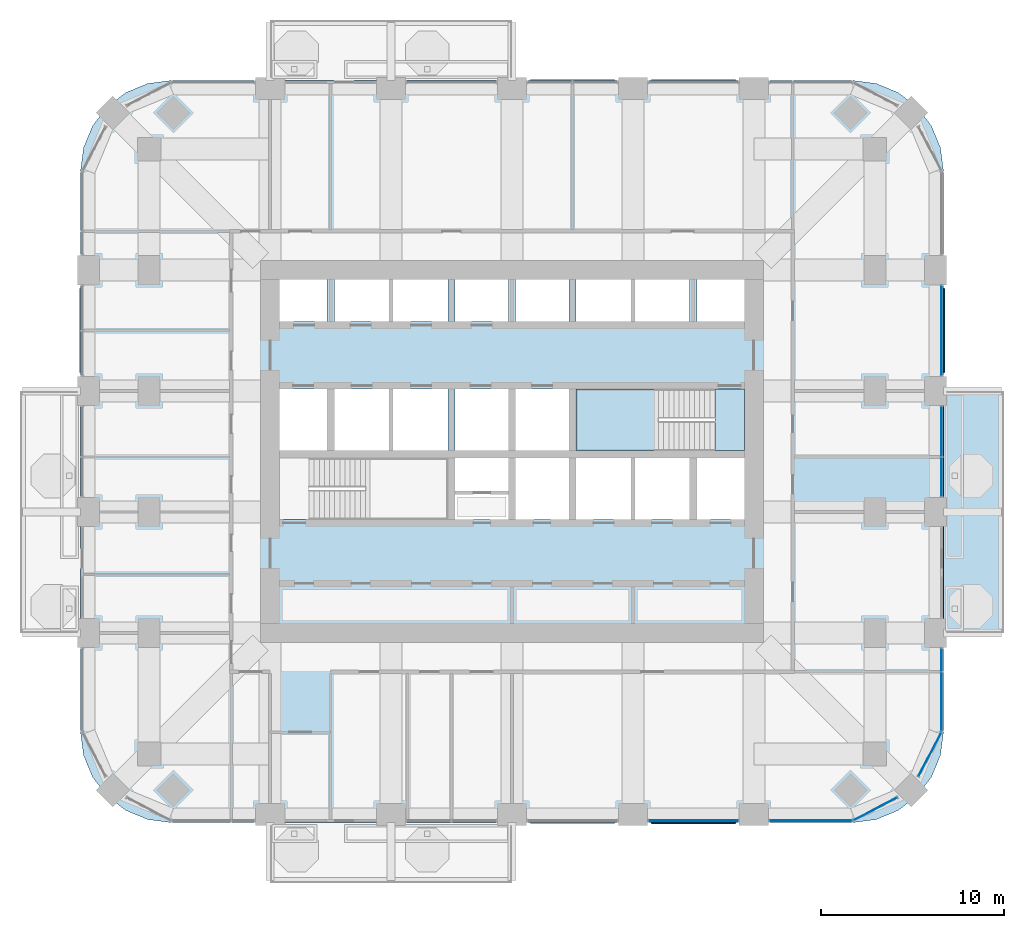
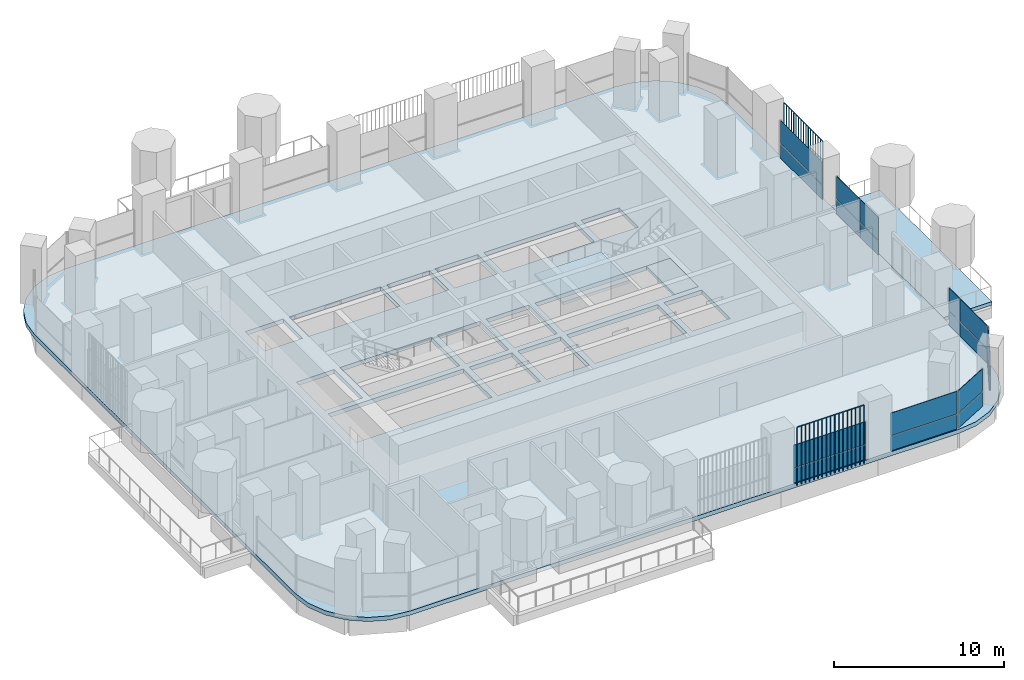
# One storey, part 9 of 19: 20 plates, 4 slabs, 8 elements without a shape of their own.
"""IFC4 building model written with IfcOpenShell, lengths in metres."""

from ifc_helpers import new_model, si_unit, direction, frame, origin, origin_2d, place, context, subcontext, project, spatial, polyline, rectangle, outline, extrude, material, layer, layer_set, type_object, element, aggregate, save


model = new_model("IFC4")

# Units and contexts
model_context = context("Model", 3, precision=1e-05, world=origin(), true_north=direction((0.0, 1.0)))
body_context = subcontext(model_context, "Body", "Model", "MODEL_VIEW")
ifc_project = project(units=[si_unit("LENGTHUNIT", "METRE"), si_unit("AREAUNIT", "SQUARE_METRE"), si_unit("VOLUMEUNIT", "CUBIC_METRE"), si_unit("PLANEANGLEUNIT", "RADIAN"), si_unit("MASSUNIT", "GRAM", prefix="KILO")], contexts=[model_context])

# Site, building, storey
site_placement = place(None, origin())
site = spatial("IfcSite", under=ifc_project, at=site_placement, CompositionType="ELEMENT")
building_placement = place(site_placement, origin())
building = spatial("IfcBuilding", under=site, at=building_placement, Name="Cobogo Forest Laboratory Tower", CompositionType="ELEMENT")
storey_placement = place(building_placement, frame((0.0, 0.0, 159.89990234375)))
storey = spatial("IfcBuildingStorey", under=building, at=storey_placement, Name="L36", CompositionType="ELEMENT", Elevation=159.89990234375)

# Slabs
ifc_material_1 = material(Name="Concrete HA-40 (C40/50)", Category="concrete")
ifc_layer_1 = layer(ifc_material_1, 0.25)
ifc_layer_set_1 = layer_set([ifc_layer_1], Name="Balcony slab 250")
slab_type_1 = type_object("IfcSlabType", Name="Balcony slab 250", PredefinedType="FLOOR", material=ifc_layer_set_1)
slab_1_placement = place(storey_placement, frame((0.0, 0.0, -0.25)))
element("IfcSlab", 1, at=slab_1_placement, inside=storey, type_object=slab_type_1, Name="Balcony BAL-E1 L36", PredefinedType="FLOOR", context=body_context, shape_type="SweptSolid", body=[
    extrude(outline(polyline([(49.949951171875, 13.199951171875), (53.25, 13.199951171875), (53.25, 26.39990234375), (49.949951171875, 26.39990234375), (49.949951171875, 13.199951171875)])), origin(), (0.0, 0.0, 1.0), 0.25),
])
ifc_layer_2 = layer(ifc_material_1, 0.300048828125)
ifc_layer_set_2 = layer_set([ifc_layer_2], Name="Floor slab 300")
slab_type_2 = type_object("IfcSlabType", Name="Floor slab 300", PredefinedType="FLOOR", material=ifc_layer_set_2)
slab_2_placement = place(storey_placement, frame((0.0, 0.0, -0.2998046875)))
element("IfcSlab", 2, at=slab_2_placement, inside=storey, type_object=slab_type_2, Name="L36 floor slab", PredefinedType="FLOOR", context=body_context, shape_type="SweptSolid", body=[
    extrude(outline(polyline([(45.0, 2.85009765625), (46.28125, 3.0185546875), (47.47509765625, 3.51318359375), (48.500244140625, 4.2998046875), (49.286865234375, 5.324951171875), (49.78125, 6.518798828125), (49.949951171875, 7.800048828125), (49.949951171875, 38.39990234375), (49.78125, 39.68115234375), (49.286865234375, 40.875), (48.500244140625, 41.900146484375), (47.47509765625, 42.686767578125), (46.28125, 43.181396484375), (45.0, 43.35009765625), (7.800048828125, 43.35009765625), (6.518798828125, 43.181396484375), (5.324951171875, 42.686767578125), (4.2998046875, 41.900146484375), (3.51318359375, 40.875), (3.0185546875, 39.68115234375), (2.85009765625, 38.39990234375), (2.85009765625, 7.800048828125), (3.0185546875, 6.518798828125), (3.51318359375, 5.324951171875), (4.2998046875, 4.2998046875), (5.324951171875, 3.51318359375), (6.518798828125, 3.0185546875), (7.800048828125, 2.85009765625), (45.0, 2.85009765625)]), holes=[polyline([(22.89990234375, 19.39990234375), (13.72509765625, 19.39990234375), (13.72509765625, 22.75), (22.89990234375, 22.75), (22.89990234375, 19.39990234375)]), polyline([(26.199951171875, 19.39990234375), (23.300048828125, 19.39990234375), (23.300048828125, 22.75), (26.199951171875, 22.75), (26.199951171875, 19.39990234375)]), polyline([(29.5, 19.39990234375), (26.60009765625, 19.39990234375), (26.60009765625, 22.75), (29.5, 22.75), (29.5, 19.39990234375)]), polyline([(36.10009765625, 22.75), (36.10009765625, 19.39990234375), (29.89990234375, 19.39990234375), (29.89990234375, 22.75), (36.10009765625, 22.75)]), polyline([(36.5, 19.39990234375), (36.5, 22.75), (39.074951171875, 22.75), (39.074951171875, 19.39990234375), (36.5, 19.39990234375)]), polyline([(16.300048828125, 23.14990234375), (13.72509765625, 23.14990234375), (13.72509765625, 26.5), (16.300048828125, 26.5), (16.300048828125, 23.14990234375)]), polyline([(22.89990234375, 26.5), (22.89990234375, 23.14990234375), (16.699951171875, 23.14990234375), (16.699951171875, 26.5), (22.89990234375, 26.5)]), polyline([(26.199951171875, 23.14990234375), (23.300048828125, 23.14990234375), (23.300048828125, 26.5), (26.199951171875, 26.5), (26.199951171875, 23.14990234375)]), polyline([(26.60009765625, 23.14990234375), (26.60009765625, 26.5), (29.5, 26.5), (29.5, 23.14990234375), (26.60009765625, 23.14990234375)]), polyline([(39.074951171875, 23.14990234375), (29.89990234375, 23.14990234375), (29.89990234375, 26.5), (39.074951171875, 26.5), (39.074951171875, 23.14990234375)]), polyline([(16.300048828125, 30.199951171875), (13.72509765625, 30.199951171875), (13.72509765625, 32.47509765625), (16.300048828125, 32.47509765625), (16.300048828125, 30.199951171875)]), polyline([(22.89990234375, 32.47509765625), (22.89990234375, 30.199951171875), (16.699951171875, 30.199951171875), (16.699951171875, 32.47509765625), (22.89990234375, 32.47509765625)]), polyline([(23.300048828125, 30.199951171875), (23.300048828125, 32.47509765625), (26.199951171875, 32.47509765625), (26.199951171875, 30.199951171875), (23.300048828125, 30.199951171875)]), polyline([(29.5, 30.199951171875), (26.60009765625, 30.199951171875), (26.60009765625, 32.47509765625), (29.5, 32.47509765625), (29.5, 30.199951171875)]), polyline([(36.10009765625, 32.47509765625), (36.10009765625, 30.199951171875), (29.89990234375, 30.199951171875), (29.89990234375, 32.47509765625), (36.10009765625, 32.47509765625)]), polyline([(36.5, 30.199951171875), (36.5, 32.47509765625), (39.074951171875, 32.47509765625), (39.074951171875, 30.199951171875), (36.5, 30.199951171875)])]), origin(), (0.0, 0.0, 1.0), 0.2998046875),
])

# Curtain wall, plates
ifc_material_2 = material(Name="Aluminium curtain wall", Category="aluminium")
curtain_wall_type = type_object("IfcCurtainWallType", Name="CW-2 unitised curtain wall, solar control glazing, laboratory floors zones C and D", PredefinedType="USERDEFINED", material=ifc_material_2)
curtain_wall_1_placement = place(storey_placement, origin())
curtain_wall_1 = element("IfcCurtainWall", 3, at=curtain_wall_1_placement, inside=storey, type_object=curtain_wall_type, Name="Curtain wall 05 L36", ObjectType="UNITISED CURTAIN WALL", PredefinedType="USERDEFINED")
ifc_material_3 = material(Name="Solar control insulated glass", Category="glass")
ifc_layer_3 = layer(ifc_material_3, 0.031982421875)
ifc_layer_set_3 = layer_set([ifc_layer_3], Name="GP-2 solar control glass unit 32")
plate_type_1 = type_object("IfcPlateType", Name="GP-2 solar control glass unit 32", PredefinedType="CURTAIN_PANEL", material=ifc_layer_set_3)
plate_1_placement = place(storey_placement, frame((36.300048828125, 2.949951171875, 0.0), z_axis=(0.0, 0.0, 1.0), x_axis=(1.0, 0.0, 0.0)))
plate_1 = element("IfcPlate", 4, at=plate_1_placement, type_object=plate_type_1, Name="CW-2 panel 1.1", PredefinedType="CURTAIN_PANEL", context=body_context, shape_type="SweptSolid", body=[
    extrude(rectangle(XDim=4.8798828125, YDim=0.031982421875, at=origin_2d()), origin(), (0.0, 0.0, 1.0), 1.02001953125),
])
plate_2_placement = place(storey_placement, frame((36.300048828125, 2.949951171875, 1.080078125), z_axis=(0.0, 0.0, 1.0), x_axis=(1.0, 0.0, 0.0)))
plate_2 = element("IfcPlate", 5, at=plate_2_placement, type_object=plate_type_1, Name="CW-2 panel 1.2", PredefinedType="CURTAIN_PANEL", context=body_context, shape_type="SweptSolid", body=[
    extrude(rectangle(XDim=4.8798828125, YDim=0.031982421875, at=origin_2d()), origin(), (0.0, 0.0, 1.0), 1.6201171875),
])
aggregate(curtain_wall_1, [plate_1, plate_2])

curtain_wall_2_placement = place(storey_placement, origin())
curtain_wall_2 = element("IfcCurtainWall", 6, at=curtain_wall_2_placement, inside=storey, type_object=curtain_wall_type, Name="Curtain wall 06 L36", ObjectType="UNITISED CURTAIN WALL", PredefinedType="USERDEFINED")
plate_3_placement = place(storey_placement, frame((42.699951171875, 2.949951171875, 0.0), z_axis=(0.0, 0.0, 1.0), x_axis=(1.0, 0.0, 0.0)))
plate_3 = element("IfcPlate", 7, at=plate_3_placement, type_object=plate_type_1, Name="CW-2 panel 1.1", PredefinedType="CURTAIN_PANEL", context=body_context, shape_type="SweptSolid", body=[
    extrude(rectangle(XDim=4.47998046875, YDim=0.031982421875, at=origin_2d()), origin(), (0.0, 0.0, 1.0), 1.02001953125),
])
plate_4_placement = place(storey_placement, frame((42.699951171875, 2.949951171875, 1.080078125), z_axis=(0.0, 0.0, 1.0), x_axis=(1.0, 0.0, 0.0)))
plate_4 = element("IfcPlate", 8, at=plate_4_placement, type_object=plate_type_1, Name="CW-2 panel 1.2", PredefinedType="CURTAIN_PANEL", context=body_context, shape_type="SweptSolid", body=[
    extrude(rectangle(XDim=4.47998046875, YDim=0.031982421875, at=origin_2d()), origin(), (0.0, 0.0, 1.0), 1.6201171875),
])
aggregate(curtain_wall_2, [plate_3, plate_4])

curtain_wall_3_placement = place(storey_placement, origin())
curtain_wall_3 = element("IfcCurtainWall", 9, at=curtain_wall_3_placement, inside=storey, type_object=curtain_wall_type, Name="Curtain wall 07 L36", ObjectType="UNITISED CURTAIN WALL", PredefinedType="USERDEFINED")
plate_5_placement = place(storey_placement, frame((46.229248046875, 3.59423828125, 0.0), z_axis=(0.0, 0.0, 1.0), x_axis=(0.885686547075, 0.464283685186, 0.0)))
plate_5 = element("IfcPlate", 10, at=plate_5_placement, type_object=plate_type_1, Name="CW-2 panel 1.1", PredefinedType="CURTAIN_PANEL", context=body_context, shape_type="SweptSolid", body=[
    extrude(rectangle(XDim=2.655517578125, YDim=0.031982421875, at=origin_2d()), origin(), (0.0, 0.0, 1.0), 1.02001953125),
])
plate_6_placement = place(storey_placement, frame((46.229248046875, 3.59423828125, 1.080078125), z_axis=(0.0, 0.0, 1.0), x_axis=(0.885686547075, 0.464283685186, 0.0)))
plate_6 = element("IfcPlate", 11, at=plate_6_placement, type_object=plate_type_1, Name="CW-2 panel 1.2", PredefinedType="CURTAIN_PANEL", context=body_context, shape_type="SweptSolid", body=[
    extrude(rectangle(XDim=2.655517578125, YDim=0.031982421875, at=origin_2d()), origin(), (0.0, 0.0, 1.0), 1.6201171875),
])
aggregate(curtain_wall_3, [plate_5, plate_6])

curtain_wall_4_placement = place(storey_placement, origin())
curtain_wall_4 = element("IfcCurtainWall", 12, at=curtain_wall_4_placement, inside=storey, type_object=curtain_wall_type, Name="Curtain wall 08 L36", ObjectType="UNITISED CURTAIN WALL", PredefinedType="USERDEFINED")
plate_7_placement = place(storey_placement, frame((49.20556640625, 6.57080078125, 0.0), z_axis=(0.0, 0.0, 1.0), x_axis=(0.464283685186, 0.885686547075, 0.0)))
plate_7 = element("IfcPlate", 13, at=plate_7_placement, type_object=plate_type_1, Name="CW-2 panel 1.1", PredefinedType="CURTAIN_PANEL", context=body_context, shape_type="SweptSolid", body=[
    extrude(rectangle(XDim=2.655517578125, YDim=0.031982421875, at=origin_2d()), origin(), (0.0, 0.0, 1.0), 1.02001953125),
])
plate_8_placement = place(storey_placement, frame((49.20556640625, 6.57080078125, 1.080078125), z_axis=(0.0, 0.0, 1.0), x_axis=(0.464283685186, 0.885686547075, 0.0)))
plate_8 = element("IfcPlate", 14, at=plate_8_placement, type_object=plate_type_1, Name="CW-2 panel 1.2", PredefinedType="CURTAIN_PANEL", context=body_context, shape_type="SweptSolid", body=[
    extrude(rectangle(XDim=2.655517578125, YDim=0.031982421875, at=origin_2d()), origin(), (0.0, 0.0, 1.0), 1.6201171875),
])
aggregate(curtain_wall_4, [plate_7, plate_8])

curtain_wall_5_placement = place(storey_placement, origin())
curtain_wall_5 = element("IfcCurtainWall", 15, at=curtain_wall_5_placement, inside=storey, type_object=curtain_wall_type, Name="Curtain wall 09 L36", ObjectType="UNITISED CURTAIN WALL", PredefinedType="USERDEFINED")
plate_9_placement = place(storey_placement, frame((49.85009765625, 9.452392578125, 0.0), z_axis=(0.0, 0.0, 1.0), x_axis=(0.0, 1.0, 0.0)))
plate_9 = element("IfcPlate", 16, at=plate_9_placement, type_object=plate_type_1, Name="CW-2 panel 1.1", PredefinedType="CURTAIN_PANEL", context=body_context, shape_type="SweptSolid", body=[
    extrude(rectangle(XDim=3.18505859375, YDim=0.031982421875, at=origin_2d()), origin(), (0.0, 0.0, 1.0), 1.02001953125),
])
plate_10_placement = place(storey_placement, frame((49.85009765625, 9.452392578125, 1.080078125), z_axis=(0.0, 0.0, 1.0), x_axis=(0.0, 1.0, 0.0)))
plate_10 = element("IfcPlate", 17, at=plate_10_placement, type_object=plate_type_1, Name="CW-2 panel 1.2", PredefinedType="CURTAIN_PANEL", context=body_context, shape_type="SweptSolid", body=[
    extrude(rectangle(XDim=3.18505859375, YDim=0.031982421875, at=origin_2d()), origin(), (0.0, 0.0, 1.0), 1.6201171875),
])
plate_11_placement = place(storey_placement, frame((49.85009765625, 11.722412109375, 0.0), z_axis=(0.0, 0.0, 1.0), x_axis=(0.0, 1.0, 0.0)))
plate_11 = element("IfcPlate", 18, at=plate_11_placement, type_object=plate_type_1, Name="CW-2 panel 2.1", PredefinedType="CURTAIN_PANEL", context=body_context, shape_type="SweptSolid", body=[
    extrude(rectangle(XDim=1.235107421875, YDim=0.031982421875, at=origin_2d()), origin(), (0.0, 0.0, 1.0), 1.02001953125),
])
plate_12_placement = place(storey_placement, frame((49.85009765625, 11.722412109375, 1.080078125), z_axis=(0.0, 0.0, 1.0), x_axis=(0.0, 1.0, 0.0)))
plate_12 = element("IfcPlate", 19, at=plate_12_placement, type_object=plate_type_1, Name="CW-2 panel 2.2", PredefinedType="CURTAIN_PANEL", context=body_context, shape_type="SweptSolid", body=[
    extrude(rectangle(XDim=1.235107421875, YDim=0.031982421875, at=origin_2d()), origin(), (0.0, 0.0, 1.0), 1.6201171875),
])
aggregate(curtain_wall_5, [plate_9, plate_10, plate_11, plate_12])

curtain_wall_6_placement = place(storey_placement, origin())
curtain_wall_6 = element("IfcCurtainWall", 20, at=curtain_wall_6_placement, inside=storey, type_object=curtain_wall_type, Name="Curtain wall 11 L36", ObjectType="UNITISED CURTAIN WALL", PredefinedType="USERDEFINED")
plate_13_placement = place(storey_placement, frame((49.85009765625, 21.715087890625, 0.0), z_axis=(0.0, 0.0, 1.0), x_axis=(0.0, 1.0, 0.0)))
plate_13 = element("IfcPlate", 21, at=plate_13_placement, type_object=plate_type_1, Name="CW-2 panel 1.1", PredefinedType="CURTAIN_PANEL", context=body_context, shape_type="SweptSolid", body=[
    extrude(rectangle(XDim=2.110107421875, YDim=0.031982421875, at=origin_2d()), origin(), (0.0, 0.0, 1.0), 1.02001953125),
])
plate_14_placement = place(storey_placement, frame((49.85009765625, 21.715087890625, 1.080078125), z_axis=(0.0, 0.0, 1.0), x_axis=(0.0, 1.0, 0.0)))
plate_14 = element("IfcPlate", 22, at=plate_14_placement, type_object=plate_type_1, Name="CW-2 panel 1.2", PredefinedType="CURTAIN_PANEL", context=body_context, shape_type="SweptSolid", body=[
    extrude(rectangle(XDim=2.110107421875, YDim=0.031982421875, at=origin_2d()), origin(), (0.0, 0.0, 1.0), 1.6201171875),
])
plate_15_placement = place(storey_placement, frame((49.85009765625, 24.18505859375, 0.0), z_axis=(0.0, 0.0, 1.0), x_axis=(0.0, 1.0, 0.0)))
plate_15 = element("IfcPlate", 23, at=plate_15_placement, type_object=plate_type_1, Name="CW-2 panel 2.1", PredefinedType="CURTAIN_PANEL", context=body_context, shape_type="SweptSolid", body=[
    extrude(rectangle(XDim=2.7099609375, YDim=0.031982421875, at=origin_2d()), origin(), (0.0, 0.0, 1.0), 1.02001953125),
])
plate_16_placement = place(storey_placement, frame((49.85009765625, 24.18505859375, 1.080078125), z_axis=(0.0, 0.0, 1.0), x_axis=(0.0, 1.0, 0.0)))
plate_16 = element("IfcPlate", 24, at=plate_16_placement, type_object=plate_type_1, Name="CW-2 panel 2.2", PredefinedType="CURTAIN_PANEL", context=body_context, shape_type="SweptSolid", body=[
    extrude(rectangle(XDim=2.7099609375, YDim=0.031982421875, at=origin_2d()), origin(), (0.0, 0.0, 1.0), 1.6201171875),
])
aggregate(curtain_wall_6, [plate_13, plate_14, plate_15, plate_16])

curtain_wall_7_placement = place(storey_placement, origin())
curtain_wall_7 = element("IfcCurtainWall", 25, at=curtain_wall_7_placement, inside=storey, type_object=curtain_wall_type, Name="Curtain wall 12 L36", ObjectType="UNITISED CURTAIN WALL", PredefinedType="USERDEFINED")
plate_17_placement = place(storey_placement, frame((49.85009765625, 29.699951171875, 0.0), z_axis=(0.0, 0.0, 1.0), x_axis=(0.0, 1.0, 0.0)))
plate_17 = element("IfcPlate", 26, at=plate_17_placement, type_object=plate_type_1, Name="CW-2 panel 1.1", PredefinedType="CURTAIN_PANEL", context=body_context, shape_type="SweptSolid", body=[
    extrude(rectangle(XDim=4.8798828125, YDim=0.031982421875, at=origin_2d()), origin(), (0.0, 0.0, 1.0), 1.02001953125),
])
plate_18_placement = place(storey_placement, frame((49.85009765625, 29.699951171875, 1.080078125), z_axis=(0.0, 0.0, 1.0), x_axis=(0.0, 1.0, 0.0)))
plate_18 = element("IfcPlate", 27, at=plate_18_placement, type_object=plate_type_1, Name="CW-2 panel 1.2", PredefinedType="CURTAIN_PANEL", context=body_context, shape_type="SweptSolid", body=[
    extrude(rectangle(XDim=4.8798828125, YDim=0.031982421875, at=origin_2d()), origin(), (0.0, 0.0, 1.0), 1.6201171875),
])
aggregate(curtain_wall_7, [plate_17, plate_18])

# Stair, slabs
ifc_material_4 = material(Name="Precast concrete HA-40 (C40/50)", Category="concrete")
stair_type = type_object("IfcStairType", Name="ST24 exit stair 24 risers", PredefinedType="HALF_TURN_STAIR", material=ifc_material_4)
stair_placement = place(storey_placement, origin())
stair = element("IfcStair", 28, at=stair_placement, inside=storey, type_object=stair_type, Name="Stair 2 L36 to L37", PredefinedType="HALF_TURN_STAIR")
ifc_layer_4 = layer(ifc_material_1, 0.199951171875)
ifc_layer_set_4 = layer_set([ifc_layer_4], Name="SL stair landing 200")
slab_type_3 = type_object("IfcSlabType", Name="SL stair landing 200", PredefinedType="LANDING", material=ifc_layer_set_4)
slab_3_placement = place(storey_placement, frame((0.0, 0.0, -0.199951171875)))
slab_3 = element("IfcSlab", 29, at=slab_3_placement, type_object=slab_type_3, Name="ST2 landing 1", PredefinedType="LANDING", context=body_context, shape_type="SweptSolid", body=[
    extrude(outline(polyline([(37.472900390625, 23.14990234375), (39.074951171875, 23.14990234375), (39.074951171875, 26.5), (37.472900390625, 26.5), (37.472900390625, 23.14990234375)])), origin(), (0.0, 0.0, 1.0), 0.199951171875),
])
slab_4_placement = place(storey_placement, frame((0.0, 0.0, 1.900146484375)))
slab_4 = element("IfcSlab", 30, at=slab_4_placement, type_object=slab_type_3, Name="ST2 landing 2", PredefinedType="LANDING", context=body_context, shape_type="SweptSolid", body=[
    extrude(outline(polyline([(29.89990234375, 23.14990234375), (34.39697265625, 23.14990234375), (34.39697265625, 26.5), (29.89990234375, 26.5), (29.89990234375, 23.14990234375)])), origin(), (0.0, 0.0, 1.0), 0.199951171875),
])
aggregate(stair, [slab_3, slab_4])

# Plates
ifc_material_5 = material(Name="Terracotta", Category="masonry")
plate_type_2 = type_object("IfcPlateType", Name="TB1 terracotta baguette screen", PredefinedType="USERDEFINED", material=ifc_material_5)
plate_19_placement = place(storey_placement, frame((34.03125, 2.822021484375, -0.14990234375)))
element("IfcPlate", 31, at=plate_19_placement, inside=storey, type_object=plate_type_2, Name="Baguette screen S4 L36", ObjectType="BAGUETTE SCREEN", PredefinedType="USERDEFINED", context=body_context, shape_type="SweptSolid", body=[
    extrude(outline(polyline([(0.02880859375, 0.011962890625), (0.011962890625, 0.02880859375), (-0.011962890625, 0.02880859375), (-0.02880859375, 0.011962890625), (-0.02880859375, -0.011962890625), (-0.011962890625, -0.02880859375), (0.011962890625, -0.02880859375), (0.02880859375, -0.011962890625), (0.02880859375, 0.011962890625)])), frame((0.0, 0.0, 4.168701171875), z_axis=(1.0, 0.0, 0.0), x_axis=(0.0, 1.0, 0.0)), (0.0, 0.0, 1.0), 4.53759765625),
    extrude(outline(polyline([(0.02880859375, 0.011962890625), (0.011962890625, 0.02880859375), (-0.011962890625, 0.02880859375), (-0.02880859375, 0.011962890625), (-0.02880859375, -0.011962890625), (-0.011962890625, -0.02880859375), (0.011962890625, -0.02880859375), (0.02880859375, -0.011962890625), (0.02880859375, 0.011962890625)])), origin(), (0.0, 0.0, 1.0), 4.137451171875),
    extrude(outline(polyline([(0.02880859375, 0.011962890625), (0.011962890625, 0.02880859375), (-0.011962890625, 0.02880859375), (-0.02880859375, 0.011962890625), (-0.02880859375, -0.011962890625), (-0.011962890625, -0.02880859375), (0.011962890625, -0.02880859375), (0.02880859375, -0.011962890625), (0.02880859375, 0.011962890625)])), frame((0.28369140625, 0.0, 0.0)), (0.0, 0.0, 1.0), 4.137451171875),
    extrude(outline(polyline([(0.02880859375, 0.011962890625), (0.011962890625, 0.02880859375), (-0.011962890625, 0.02880859375), (-0.02880859375, 0.011962890625), (-0.02880859375, -0.011962890625), (-0.011962890625, -0.02880859375), (0.011962890625, -0.02880859375), (0.02880859375, -0.011962890625), (0.02880859375, 0.011962890625)])), frame((0.567138671875, 0.0, 0.0)), (0.0, 0.0, 1.0), 4.137451171875),
    extrude(outline(polyline([(0.02880859375, 0.011962890625), (0.011962890625, 0.02880859375), (-0.011962890625, 0.02880859375), (-0.02880859375, 0.011962890625), (-0.02880859375, -0.011962890625), (-0.011962890625, -0.02880859375), (0.011962890625, -0.02880859375), (0.02880859375, -0.011962890625), (0.02880859375, 0.011962890625)])), frame((0.850830078125, 0.0, 0.0)), (0.0, 0.0, 1.0), 4.137451171875),
    extrude(outline(polyline([(0.02880859375, 0.011962890625), (0.011962890625, 0.02880859375), (-0.011962890625, 0.02880859375), (-0.02880859375, 0.011962890625), (-0.02880859375, -0.011962890625), (-0.011962890625, -0.02880859375), (0.011962890625, -0.02880859375), (0.02880859375, -0.011962890625), (0.02880859375, 0.011962890625)])), frame((1.13427734375, 0.0, 0.0)), (0.0, 0.0, 1.0), 4.137451171875),
    extrude(outline(polyline([(0.02880859375, 0.011962890625), (0.011962890625, 0.02880859375), (-0.011962890625, 0.02880859375), (-0.02880859375, 0.011962890625), (-0.02880859375, -0.011962890625), (-0.011962890625, -0.02880859375), (0.011962890625, -0.02880859375), (0.02880859375, -0.011962890625), (0.02880859375, 0.011962890625)])), frame((1.41796875, 0.0, 0.0)), (0.0, 0.0, 1.0), 4.137451171875),
    extrude(outline(polyline([(0.02880859375, 0.011962890625), (0.011962890625, 0.02880859375), (-0.011962890625, 0.02880859375), (-0.02880859375, 0.011962890625), (-0.02880859375, -0.011962890625), (-0.011962890625, -0.02880859375), (0.011962890625, -0.02880859375), (0.02880859375, -0.011962890625), (0.02880859375, 0.011962890625)])), frame((1.70166015625, 0.0, 0.0)), (0.0, 0.0, 1.0), 4.137451171875),
    extrude(outline(polyline([(0.02880859375, 0.011962890625), (0.011962890625, 0.02880859375), (-0.011962890625, 0.02880859375), (-0.02880859375, 0.011962890625), (-0.02880859375, -0.011962890625), (-0.011962890625, -0.02880859375), (0.011962890625, -0.02880859375), (0.02880859375, -0.011962890625), (0.02880859375, 0.011962890625)])), frame((1.985107421875, 0.0, 0.0)), (0.0, 0.0, 1.0), 4.137451171875),
    extrude(outline(polyline([(0.02880859375, 0.011962890625), (0.011962890625, 0.02880859375), (-0.011962890625, 0.02880859375), (-0.02880859375, 0.011962890625), (-0.02880859375, -0.011962890625), (-0.011962890625, -0.02880859375), (0.011962890625, -0.02880859375), (0.02880859375, -0.011962890625), (0.02880859375, 0.011962890625)])), frame((2.268798828125, 0.0, 0.0)), (0.0, 0.0, 1.0), 4.137451171875),
    extrude(outline(polyline([(0.02880859375, 0.011962890625), (0.011962890625, 0.02880859375), (-0.011962890625, 0.02880859375), (-0.02880859375, 0.011962890625), (-0.02880859375, -0.011962890625), (-0.011962890625, -0.02880859375), (0.011962890625, -0.02880859375), (0.02880859375, -0.011962890625), (0.02880859375, 0.011962890625)])), frame((2.552490234375, 0.0, 0.0)), (0.0, 0.0, 1.0), 4.137451171875),
    extrude(outline(polyline([(0.02880859375, 0.011962890625), (0.011962890625, 0.02880859375), (-0.011962890625, 0.02880859375), (-0.02880859375, 0.011962890625), (-0.02880859375, -0.011962890625), (-0.011962890625, -0.02880859375), (0.011962890625, -0.02880859375), (0.02880859375, -0.011962890625), (0.02880859375, 0.011962890625)])), frame((2.8359375, 0.0, 0.0)), (0.0, 0.0, 1.0), 4.137451171875),
    extrude(outline(polyline([(0.02880859375, 0.011962890625), (0.011962890625, 0.02880859375), (-0.011962890625, 0.02880859375), (-0.02880859375, 0.011962890625), (-0.02880859375, -0.011962890625), (-0.011962890625, -0.02880859375), (0.011962890625, -0.02880859375), (0.02880859375, -0.011962890625), (0.02880859375, 0.011962890625)])), frame((3.11962890625, 0.0, 0.0)), (0.0, 0.0, 1.0), 4.137451171875),
    extrude(outline(polyline([(0.02880859375, 0.011962890625), (0.011962890625, 0.02880859375), (-0.011962890625, 0.02880859375), (-0.02880859375, 0.011962890625), (-0.02880859375, -0.011962890625), (-0.011962890625, -0.02880859375), (0.011962890625, -0.02880859375), (0.02880859375, -0.011962890625), (0.02880859375, 0.011962890625)])), frame((3.4033203125, 0.0, 0.0)), (0.0, 0.0, 1.0), 4.137451171875),
    extrude(outline(polyline([(0.02880859375, 0.011962890625), (0.011962890625, 0.02880859375), (-0.011962890625, 0.02880859375), (-0.02880859375, 0.011962890625), (-0.02880859375, -0.011962890625), (-0.011962890625, -0.02880859375), (0.011962890625, -0.02880859375), (0.02880859375, -0.011962890625), (0.02880859375, 0.011962890625)])), frame((3.686767578125, 0.0, 0.0)), (0.0, 0.0, 1.0), 4.137451171875),
    extrude(outline(polyline([(0.02880859375, 0.011962890625), (0.011962890625, 0.02880859375), (-0.011962890625, 0.02880859375), (-0.02880859375, 0.011962890625), (-0.02880859375, -0.011962890625), (-0.011962890625, -0.02880859375), (0.011962890625, -0.02880859375), (0.02880859375, -0.011962890625), (0.02880859375, 0.011962890625)])), frame((3.970458984375, 0.0, 0.0)), (0.0, 0.0, 1.0), 4.137451171875),
    extrude(outline(polyline([(0.02880859375, 0.011962890625), (0.011962890625, 0.02880859375), (-0.011962890625, 0.02880859375), (-0.02880859375, 0.011962890625), (-0.02880859375, -0.011962890625), (-0.011962890625, -0.02880859375), (0.011962890625, -0.02880859375), (0.02880859375, -0.011962890625), (0.02880859375, 0.011962890625)])), frame((4.25390625, 0.0, 0.0)), (0.0, 0.0, 1.0), 4.137451171875),
    extrude(outline(polyline([(0.02880859375, 0.011962890625), (0.011962890625, 0.02880859375), (-0.011962890625, 0.02880859375), (-0.02880859375, 0.011962890625), (-0.02880859375, -0.011962890625), (-0.011962890625, -0.02880859375), (0.011962890625, -0.02880859375), (0.02880859375, -0.011962890625), (0.02880859375, 0.011962890625)])), frame((4.53759765625, 0.0, 0.0)), (0.0, 0.0, 1.0), 4.137451171875),
])
plate_20_placement = place(storey_placement, frame((49.977783203125, 27.43115234375, -0.14990234375)))
element("IfcPlate", 32, at=plate_20_placement, inside=storey, type_object=plate_type_2, Name="Baguette screen E3 L36", ObjectType="BAGUETTE SCREEN", PredefinedType="USERDEFINED", context=body_context, shape_type="SweptSolid", body=[
    extrude(outline(polyline([(0.02880859375, 0.011962890625), (0.011962890625, 0.02880859375), (-0.011962890625, 0.02880859375), (-0.02880859375, 0.011962890625), (-0.02880859375, -0.011962890625), (-0.011962890625, -0.02880859375), (0.011962890625, -0.02880859375), (0.02880859375, -0.011962890625), (0.02880859375, 0.011962890625)])), frame((0.0, 0.0, 4.168701171875), z_axis=(0.0, 1.0, 0.0), x_axis=(-1.0, 0.0, 0.0)), (0.0, 0.0, 1.0), 4.53759765625),
    extrude(outline(polyline([(0.02880859375, 0.011962890625), (0.011962890625, 0.02880859375), (-0.011962890625, 0.02880859375), (-0.02880859375, 0.011962890625), (-0.02880859375, -0.011962890625), (-0.011962890625, -0.02880859375), (0.011962890625, -0.02880859375), (0.02880859375, -0.011962890625), (0.02880859375, 0.011962890625)])), origin(), (0.0, 0.0, 1.0), 4.137451171875),
    extrude(outline(polyline([(0.02880859375, 0.011962890625), (0.011962890625, 0.02880859375), (-0.011962890625, 0.02880859375), (-0.02880859375, 0.011962890625), (-0.02880859375, -0.011962890625), (-0.011962890625, -0.02880859375), (0.011962890625, -0.02880859375), (0.02880859375, -0.011962890625), (0.02880859375, 0.011962890625)])), frame((0.0, 0.28369140625, 0.0)), (0.0, 0.0, 1.0), 4.137451171875),
    extrude(outline(polyline([(0.02880859375, 0.011962890625), (0.011962890625, 0.02880859375), (-0.011962890625, 0.02880859375), (-0.02880859375, 0.011962890625), (-0.02880859375, -0.011962890625), (-0.011962890625, -0.02880859375), (0.011962890625, -0.02880859375), (0.02880859375, -0.011962890625), (0.02880859375, 0.011962890625)])), frame((0.0, 0.567138671875, 0.0)), (0.0, 0.0, 1.0), 4.137451171875),
    extrude(outline(polyline([(0.02880859375, 0.011962890625), (0.011962890625, 0.02880859375), (-0.011962890625, 0.02880859375), (-0.02880859375, 0.011962890625), (-0.02880859375, -0.011962890625), (-0.011962890625, -0.02880859375), (0.011962890625, -0.02880859375), (0.02880859375, -0.011962890625), (0.02880859375, 0.011962890625)])), frame((0.0, 0.850830078125, 0.0)), (0.0, 0.0, 1.0), 4.137451171875),
    extrude(outline(polyline([(0.02880859375, 0.011962890625), (0.011962890625, 0.02880859375), (-0.011962890625, 0.02880859375), (-0.02880859375, 0.011962890625), (-0.02880859375, -0.011962890625), (-0.011962890625, -0.02880859375), (0.011962890625, -0.02880859375), (0.02880859375, -0.011962890625), (0.02880859375, 0.011962890625)])), frame((0.0, 1.13427734375, 0.0)), (0.0, 0.0, 1.0), 4.137451171875),
    extrude(outline(polyline([(0.02880859375, 0.011962890625), (0.011962890625, 0.02880859375), (-0.011962890625, 0.02880859375), (-0.02880859375, 0.011962890625), (-0.02880859375, -0.011962890625), (-0.011962890625, -0.02880859375), (0.011962890625, -0.02880859375), (0.02880859375, -0.011962890625), (0.02880859375, 0.011962890625)])), frame((0.0, 1.41796875, 0.0)), (0.0, 0.0, 1.0), 4.137451171875),
    extrude(outline(polyline([(0.02880859375, 0.011962890625), (0.011962890625, 0.02880859375), (-0.011962890625, 0.02880859375), (-0.02880859375, 0.011962890625), (-0.02880859375, -0.011962890625), (-0.011962890625, -0.02880859375), (0.011962890625, -0.02880859375), (0.02880859375, -0.011962890625), (0.02880859375, 0.011962890625)])), frame((0.0, 1.70166015625, 0.0)), (0.0, 0.0, 1.0), 4.137451171875),
    extrude(outline(polyline([(0.02880859375, 0.011962890625), (0.011962890625, 0.02880859375), (-0.011962890625, 0.02880859375), (-0.02880859375, 0.011962890625), (-0.02880859375, -0.011962890625), (-0.011962890625, -0.02880859375), (0.011962890625, -0.02880859375), (0.02880859375, -0.011962890625), (0.02880859375, 0.011962890625)])), frame((0.0, 1.985107421875, 0.0)), (0.0, 0.0, 1.0), 4.137451171875),
    extrude(outline(polyline([(0.02880859375, 0.011962890625), (0.011962890625, 0.02880859375), (-0.011962890625, 0.02880859375), (-0.02880859375, 0.011962890625), (-0.02880859375, -0.011962890625), (-0.011962890625, -0.02880859375), (0.011962890625, -0.02880859375), (0.02880859375, -0.011962890625), (0.02880859375, 0.011962890625)])), frame((0.0, 2.268798828125, 0.0)), (0.0, 0.0, 1.0), 4.137451171875),
    extrude(outline(polyline([(0.02880859375, 0.011962890625), (0.011962890625, 0.02880859375), (-0.011962890625, 0.02880859375), (-0.02880859375, 0.011962890625), (-0.02880859375, -0.011962890625), (-0.011962890625, -0.02880859375), (0.011962890625, -0.02880859375), (0.02880859375, -0.011962890625), (0.02880859375, 0.011962890625)])), frame((0.0, 2.552490234375, 0.0)), (0.0, 0.0, 1.0), 4.137451171875),
    extrude(outline(polyline([(0.02880859375, 0.011962890625), (0.011962890625, 0.02880859375), (-0.011962890625, 0.02880859375), (-0.02880859375, 0.011962890625), (-0.02880859375, -0.011962890625), (-0.011962890625, -0.02880859375), (0.011962890625, -0.02880859375), (0.02880859375, -0.011962890625), (0.02880859375, 0.011962890625)])), frame((0.0, 2.8359375, 0.0)), (0.0, 0.0, 1.0), 4.137451171875),
    extrude(outline(polyline([(0.02880859375, 0.011962890625), (0.011962890625, 0.02880859375), (-0.011962890625, 0.02880859375), (-0.02880859375, 0.011962890625), (-0.02880859375, -0.011962890625), (-0.011962890625, -0.02880859375), (0.011962890625, -0.02880859375), (0.02880859375, -0.011962890625), (0.02880859375, 0.011962890625)])), frame((0.0, 3.11962890625, 0.0)), (0.0, 0.0, 1.0), 4.137451171875),
    extrude(outline(polyline([(0.02880859375, 0.011962890625), (0.011962890625, 0.02880859375), (-0.011962890625, 0.02880859375), (-0.02880859375, 0.011962890625), (-0.02880859375, -0.011962890625), (-0.011962890625, -0.02880859375), (0.011962890625, -0.02880859375), (0.02880859375, -0.011962890625), (0.02880859375, 0.011962890625)])), frame((0.0, 3.4033203125, 0.0)), (0.0, 0.0, 1.0), 4.137451171875),
    extrude(outline(polyline([(0.02880859375, 0.011962890625), (0.011962890625, 0.02880859375), (-0.011962890625, 0.02880859375), (-0.02880859375, 0.011962890625), (-0.02880859375, -0.011962890625), (-0.011962890625, -0.02880859375), (0.011962890625, -0.02880859375), (0.02880859375, -0.011962890625), (0.02880859375, 0.011962890625)])), frame((0.0, 3.686767578125, 0.0)), (0.0, 0.0, 1.0), 4.137451171875),
    extrude(outline(polyline([(0.02880859375, 0.011962890625), (0.011962890625, 0.02880859375), (-0.011962890625, 0.02880859375), (-0.02880859375, 0.011962890625), (-0.02880859375, -0.011962890625), (-0.011962890625, -0.02880859375), (0.011962890625, -0.02880859375), (0.02880859375, -0.011962890625), (0.02880859375, 0.011962890625)])), frame((0.0, 3.970458984375, 0.0)), (0.0, 0.0, 1.0), 4.137451171875),
    extrude(outline(polyline([(0.02880859375, 0.011962890625), (0.011962890625, 0.02880859375), (-0.011962890625, 0.02880859375), (-0.02880859375, 0.011962890625), (-0.02880859375, -0.011962890625), (-0.011962890625, -0.02880859375), (0.011962890625, -0.02880859375), (0.02880859375, -0.011962890625), (0.02880859375, 0.011962890625)])), frame((0.0, 4.25390625, 0.0)), (0.0, 0.0, 1.0), 4.137451171875),
    extrude(outline(polyline([(0.02880859375, 0.011962890625), (0.011962890625, 0.02880859375), (-0.011962890625, 0.02880859375), (-0.02880859375, 0.011962890625), (-0.02880859375, -0.011962890625), (-0.011962890625, -0.02880859375), (0.011962890625, -0.02880859375), (0.02880859375, -0.011962890625), (0.02880859375, 0.011962890625)])), frame((0.0, 4.53759765625, 0.0)), (0.0, 0.0, 1.0), 4.137451171875),
])

save(model, "model.ifc")
